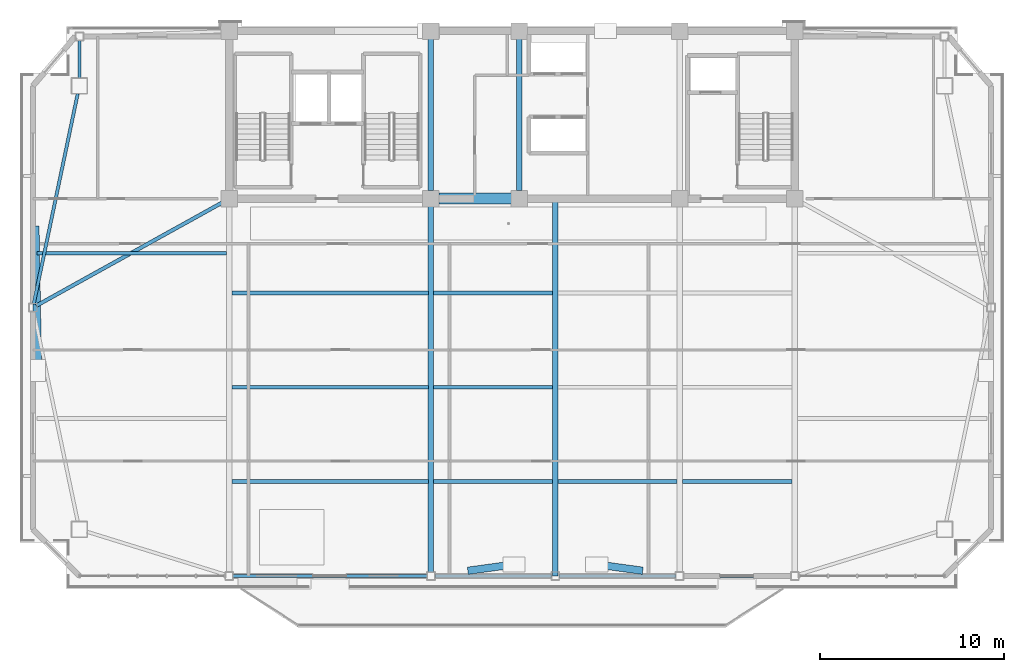
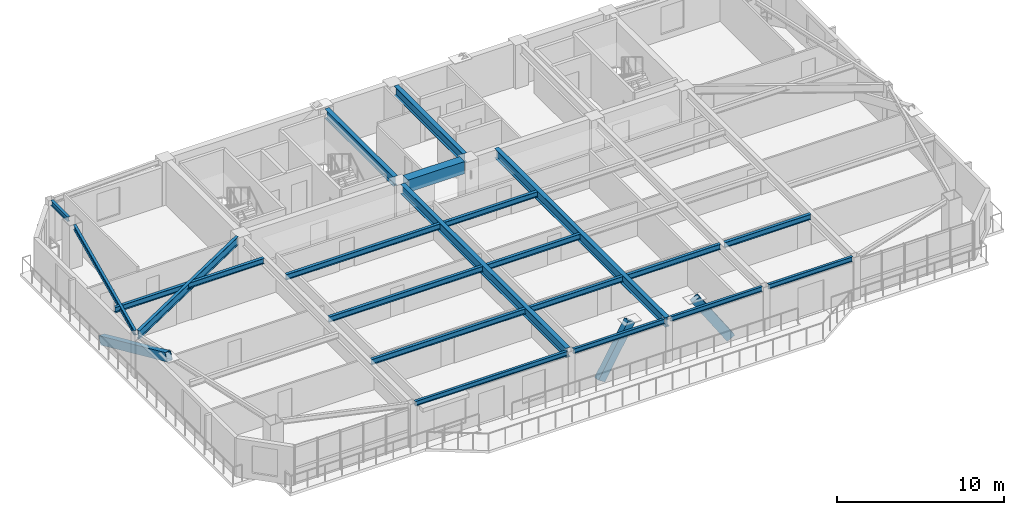
# One storey, part 3 of 16: 21 beams, 3 members.
"""IFC4 building model written with IfcOpenShell, lengths in metres."""

from ifc_helpers import new_model, si_unit, direction, frame, origin, origin_2d, place, context, subcontext, project, spatial, rectangle, hollow_rectangle, i_section, extrude, source, transform, mapped, material, material_profile, profile_set, type_object, element, save


model = new_model("IFC4")

# Units and contexts
model_context = context("Model", 3, precision=1e-05, world=origin(), true_north=direction((0.0, 1.0)))
body_context = subcontext(model_context, "Body", "Model", "MODEL_VIEW")
ifc_project = project(units=[si_unit("LENGTHUNIT", "METRE"), si_unit("AREAUNIT", "SQUARE_METRE"), si_unit("VOLUMEUNIT", "CUBIC_METRE"), si_unit("PLANEANGLEUNIT", "RADIAN"), si_unit("MASSUNIT", "GRAM", prefix="KILO")], contexts=[model_context])

# Site, building, storey
site_placement = place(None, origin())
site = spatial("IfcSite", under=ifc_project, at=site_placement, CompositionType="ELEMENT")
building_placement = place(site_placement, origin())
building = spatial("IfcBuilding", under=site, at=building_placement, Name="Giltprow Tower", CompositionType="ELEMENT")
storey_placement = place(building_placement, frame((0.0, 0.0, 272.300048828125)))
storey = spatial("IfcBuildingStorey", under=building, at=storey_placement, Name="L70", CompositionType="ELEMENT", Elevation=272.300048828125)

# Beams
ifc_material_1 = material(Name="Structural steel Q355B", Category="steel")
ifc_material_profile_1 = material_profile(ifc_material_1, i_section(OverallWidth=0.199951171875, OverallDepth=0.39990234375, WebThickness=0.008056640625, FlangeThickness=0.012939453125, at=origin_2d()), Name="HN 400x200x8x13")
ifc_profile_set_1 = profile_set([ifc_material_profile_1], Name="Structural steel Q355B")
beam_type_1 = type_object("IfcBeamType", Name="BM-JOIST-HN400", PredefinedType="JOIST", material=ifc_profile_set_1)
shared_shape_1 = source(origin(), body_context, "Body", "SweptSolid", [
    extrude(i_section(OverallWidth=0.199951171875, OverallDepth=0.39990234375, WebThickness=0.008056640625, FlangeThickness=0.012939453125, at=origin_2d()), origin(), (0.0, 0.0, 1.0), 10.659912109375),
])
for number, where, z_axis, x_axis, name in (
    (1, (19.9951171875, 22.094970703125, 2.98486328125), (1.0, 0.0, 0.0), (0.0, 1.0, 0.0), "L70 Composite Floor Joist 1-1"),
    (2, (19.9951171875, 27.212890625, 2.98486328125), (1.0, 0.0, 0.0), (0.0, 1.0, 0.0), "L70 Composite Floor Joist 2-1"),
    (3, (19.9951171875, 32.33203125, 2.98486328125), (1.0, 0.0, 0.0), (0.0, 1.0, 0.0), "L70 Composite Floor Joist 3-1"),
):
    element("IfcBeam", number, at=place(storey_placement, frame(where, z_axis=z_axis, x_axis=x_axis)), inside=storey, type_object=beam_type_1, Name=name, PredefinedType="JOIST", context=body_context, shape_type="MappedRepresentation", body=[
        mapped(shared_shape_1, transform((0.0, 0.0, 0.0), x_axis=(1.0, 0.0, 0.0), y_axis=(0.0, 1.0, 0.0), z_axis=(0.0, 0.0, 1.0), scale=1.0)),
    ])
shared_shape_2 = source(origin(), body_context, "Body", "SweptSolid", [
    extrude(i_section(OverallWidth=0.199951171875, OverallDepth=0.39990234375, WebThickness=0.008056640625, FlangeThickness=0.012939453125, at=origin_2d()), origin(), (0.0, 0.0, 1.0), 6.4599609375),
])
for number, where, z_axis, x_axis, name in (
    (4, (30.945068359375, 22.094970703125, 2.98486328125), (1.0, 0.0, 0.0), (0.0, 1.0, 0.0), "L70 Composite Floor Joist 1-2"),
    (5, (37.695068359375, 22.094970703125, 2.98486328125), (1.0, 0.0, 0.0), (0.0, 1.0, 0.0), "L70 Composite Floor Joist 1-3"),
    (6, (30.945068359375, 27.212890625, 2.98486328125), (1.0, 0.0, 0.0), (0.0, 1.0, 0.0), "L70 Composite Floor Joist 2-2"),
    (7, (30.945068359375, 32.33203125, 2.98486328125), (1.0, 0.0, 0.0), (0.0, 1.0, 0.0), "L70 Composite Floor Joist 3-2"),
):
    element("IfcBeam", number, at=place(storey_placement, frame(where, z_axis=z_axis, x_axis=x_axis)), inside=storey, type_object=beam_type_1, Name=name, PredefinedType="JOIST", context=body_context, shape_type="MappedRepresentation", body=[
        mapped(shared_shape_2, transform((0.0, 0.0, 0.0), x_axis=(1.0, 0.0, 0.0), y_axis=(0.0, 1.0, 0.0), z_axis=(0.0, 0.0, 1.0), scale=1.0)),
    ])
shared_shape_3 = source(origin(), body_context, "Body", "SweptSolid", [
    extrude(i_section(OverallWidth=0.199951171875, OverallDepth=0.39990234375, WebThickness=0.008056640625, FlangeThickness=0.012939453125, at=origin_2d()), origin(), (0.0, 0.0, 1.0), 5.9599609375),
])
beam_1_placement = place(storey_placement, frame((44.445068359375, 22.094970703125, 2.98486328125), z_axis=(1.0, 0.0, 0.0), x_axis=(0.0, 1.0, 0.0)))
element("IfcBeam", 8, at=beam_1_placement, inside=storey, type_object=beam_type_1, Name="L70 Composite Floor Joist 1-4", PredefinedType="JOIST", context=body_context, shape_type="MappedRepresentation", body=[
    mapped(shared_shape_3, transform((0.0, 0.0, 0.0), x_axis=(1.0, 0.0, 0.0), y_axis=(0.0, 1.0, 0.0), z_axis=(0.0, 0.0, 1.0), scale=1.0)),
])
ifc_material_2 = material(Name="Concrete C50", Category="concrete")
ifc_material_profile_2 = material_profile(ifc_material_2, rectangle(XDim=0.60009765625, YDim=0.89990234375, at=origin_2d()), Name="RC 900x600")
ifc_profile_set_2 = profile_set([ifc_material_profile_2], Name="Concrete C50")
beam_type_2 = type_object("IfcBeamType", Name="BM-CPL-RC900", PredefinedType="LINTEL", material=ifc_profile_set_2)
shared_shape_4 = source(origin(), body_context, "Body", "SweptSolid", [
    extrude(rectangle(XDim=0.60009765625, YDim=0.89990234375, at=origin_2d()), origin(), (0.0, 0.0, 1.0), 3.929931640625),
])
beam_2_placement = place(storey_placement, frame((31.235107421875, 37.449951171875, 2.73486328125), z_axis=(1.0, 0.0, 0.0), x_axis=(0.0, 1.0, 0.0)))
element("IfcBeam", 9, at=beam_2_placement, inside=storey, type_object=beam_type_2, Name="L70 Core Coupling Beam CB-1", PredefinedType="LINTEL", context=body_context, shape_type="MappedRepresentation", body=[
    mapped(shared_shape_4, transform((0.0, 0.0, 0.0), x_axis=(1.0, 0.0, 0.0), y_axis=(0.0, 1.0, 0.0), z_axis=(0.0, 0.0, 1.0), scale=1.0)),
])
ifc_material_profile_3 = material_profile(ifc_material_1, i_section(OverallWidth=0.300048828125, OverallDepth=0.699951171875, WebThickness=0.012939453125, FlangeThickness=0.02392578125, at=origin_2d()), Name="HN 700x300x13x24")
ifc_profile_set_3 = profile_set([ifc_material_profile_3], Name="Structural steel Q355B")
beam_type_3 = type_object("IfcBeamType", Name="BM-GIRD-HN700", PredefinedType="BEAM", material=ifc_profile_set_3)
shared_shape_5 = source(origin(), body_context, "Body", "SweptSolid", [
    extrude(i_section(OverallWidth=0.300048828125, OverallDepth=0.699951171875, WebThickness=0.012939453125, FlangeThickness=0.02392578125, at=origin_2d()), origin(), (0.0, 0.0, 1.0), 8.22998046875),
])
for number, where, z_axis, x_axis, name in (
    (10, (30.800048828125, 37.885009765625, 2.8349609375), (0.0, 1.0, 0.0), (-1.0, 0.0, 0.0), "L70 Core Tie Girder M1"),
    (11, (35.60009765625, 37.885009765625, 2.8349609375), (0.0, 1.0, 0.0), (-1.0, 0.0, 0.0), "L70 Core Tie Girder M2"),
):
    element("IfcBeam", number, at=place(storey_placement, frame(where, z_axis=z_axis, x_axis=x_axis)), inside=storey, type_object=beam_type_3, Name=name, PredefinedType="BEAM", context=body_context, shape_type="MappedRepresentation", body=[
        mapped(shared_shape_5, transform((0.0, 0.0, 0.0), x_axis=(1.0, 0.0, 0.0), y_axis=(0.0, 1.0, 0.0), z_axis=(0.0, 0.0, 1.0), scale=1.0)),
    ])
shared_shape_6 = source(origin(), body_context, "Body", "SweptSolid", [
    extrude(i_section(OverallWidth=0.300048828125, OverallDepth=0.699951171875, WebThickness=0.012939453125, FlangeThickness=0.02392578125, at=origin_2d()), origin(), (0.0, 0.0, 1.0), 20.473876953125),
])
beam_3_placement = place(storey_placement, frame((37.550048828125, 16.97607421875, 2.8349609375), z_axis=(0.0, 1.0, 0.0), x_axis=(-1.0, 0.0, 0.0)))
element("IfcBeam", 12, at=beam_3_placement, inside=storey, type_object=beam_type_3, Name="L70 Central Lease Girder SMID", PredefinedType="BEAM", context=body_context, shape_type="MappedRepresentation", body=[
    mapped(shared_shape_6, transform((0.0, 0.0, 0.0), x_axis=(1.0, 0.0, 0.0), y_axis=(0.0, 1.0, 0.0), z_axis=(0.0, 0.0, 1.0), scale=1.0)),
])
shared_shape_7 = source(origin(), body_context, "Body", "SweptSolid", [
    extrude(i_section(OverallWidth=0.199951171875, OverallDepth=0.39990234375, WebThickness=0.008056640625, FlangeThickness=0.012939453125, at=origin_2d()), origin(), (0.0, 0.0, 1.0), 10.291015625),
])
beam_4_placement = place(storey_placement, frame((9.4140625, 34.493896484375, 2.98486328125), z_axis=(1.0, 0.0, 0.0), x_axis=(0.0, 1.0, 0.0)))
element("IfcBeam", 13, at=beam_4_placement, inside=storey, type_object=beam_type_1, Name="L70 West Wing Floor Joist 2", PredefinedType="JOIST", context=body_context, shape_type="MappedRepresentation", body=[
    mapped(shared_shape_7, transform((0.0, 0.0, 0.0), x_axis=(1.0, 0.0, 0.0), y_axis=(0.0, 1.0, 0.0), z_axis=(0.0, 0.0, 1.0), scale=1.0)),
])
ifc_material_profile_4 = material_profile(ifc_material_1, i_section(OverallWidth=0.175048828125, OverallDepth=0.35009765625, WebThickness=0.007080078125, FlangeThickness=0.010986328125, at=origin_2d()), Name="HN 350x175x7x11")
ifc_profile_set_4 = profile_set([ifc_material_profile_4], Name="Structural steel Q355B")
beam_type_4 = type_object("IfcBeamType", Name="BM-SPAN-HN350", PredefinedType="SPANDREL", material=ifc_profile_set_4)
shared_shape_8 = source(origin(), body_context, "Body", "SweptSolid", [
    extrude(i_section(OverallWidth=0.175048828125, OverallDepth=0.35009765625, WebThickness=0.007080078125, FlangeThickness=0.010986328125, at=origin_2d()), origin(), (0.0, 0.0, 1.0), 10.530029296875),
])
beam_5_placement = place(storey_placement, frame((20.06005859375, 16.97607421875, 3.010009765625), z_axis=(1.0, 0.0, 0.0), x_axis=(0.0, 1.0, 0.0)))
element("IfcBeam", 14, at=beam_5_placement, inside=storey, type_object=beam_type_4, Name="L70 Perimeter Spandrel Beam S1-S2", PredefinedType="SPANDREL", context=body_context, shape_type="MappedRepresentation", body=[
    mapped(shared_shape_8, transform((0.0, 0.0, 0.0), x_axis=(1.0, 0.0, 0.0), y_axis=(0.0, 1.0, 0.0), z_axis=(0.0, 0.0, 1.0), scale=1.0)),
])
shared_shape_9 = source(origin(), body_context, "Body", "SweptSolid", [
    extrude(i_section(OverallWidth=0.175048828125, OverallDepth=0.35009765625, WebThickness=0.007080078125, FlangeThickness=0.010986328125, at=origin_2d()), origin(), (0.0, 0.0, 1.0), 6.330078125),
])
for number, where, z_axis, x_axis, name in (
    (15, (31.010009765625, 16.97607421875, 3.010009765625), (1.0, 0.0, 0.0), (0.0, 1.0, 0.0), "L70 Perimeter Spandrel Beam S2-S_MID"),
    (16, (37.760009765625, 16.97607421875, 3.010009765625), (1.0, 0.0, 0.0), (0.0, 1.0, 0.0), "L70 Perimeter Spandrel Beam S_MID-S3"),
):
    element("IfcBeam", number, at=place(storey_placement, frame(where, z_axis=z_axis, x_axis=x_axis)), inside=storey, type_object=beam_type_4, Name=name, PredefinedType="SPANDREL", context=body_context, shape_type="MappedRepresentation", body=[
        mapped(shared_shape_9, transform((0.0, 0.0, 0.0), x_axis=(1.0, 0.0, 0.0), y_axis=(0.0, 1.0, 0.0), z_axis=(0.0, 0.0, 1.0), scale=1.0)),
    ])
shared_shape_10 = source(origin(), body_context, "Body", "SweptSolid", [
    extrude(i_section(OverallWidth=0.175048828125, OverallDepth=0.35009765625, WebThickness=0.007080078125, FlangeThickness=0.010986328125, at=origin_2d()), origin(), (0.0, 0.0, 1.0), 5.830078125),
])
beam_6_placement = place(storey_placement, frame((44.510009765625, 16.97607421875, 3.010009765625), z_axis=(1.0, 0.0, 0.0), x_axis=(0.0, 1.0, 0.0)))
element("IfcBeam", 17, at=beam_6_placement, inside=storey, type_object=beam_type_4, Name="L70 Perimeter Spandrel Beam S3-S4", PredefinedType="SPANDREL", context=body_context, shape_type="MappedRepresentation", body=[
    mapped(shared_shape_10, transform((0.0, 0.0, 0.0), x_axis=(1.0, 0.0, 0.0), y_axis=(0.0, 1.0, 0.0), z_axis=(0.0, 0.0, 1.0), scale=1.0)),
])
shared_shape_11 = source(origin(), body_context, "Body", "SweptSolid", [
    extrude(i_section(OverallWidth=0.175048828125, OverallDepth=0.35009765625, WebThickness=0.007080078125, FlangeThickness=0.010986328125, at=origin_2d()), origin(), (0.0, 0.0, 1.0), 11.65478515625),
])
beam_7_placement = place(storey_placement, frame((11.6279296875, 43.15087890625, 3.010009765625), z_axis=(-0.205139436655, -0.978732757973, 0.0), x_axis=(0.978732757973, -0.205139436655, 0.0)))
element("IfcBeam", 18, at=beam_7_placement, inside=storey, type_object=beam_type_4, Name="L70 Perimeter Spandrel Beam MC_NW-W_MID", PredefinedType="SPANDREL", context=body_context, shape_type="MappedRepresentation", body=[
    mapped(shared_shape_11, transform((0.0, 0.0, 0.0), x_axis=(1.0, 0.0, 0.0), y_axis=(0.0, 1.0, 0.0), z_axis=(0.0, 0.0, 1.0), scale=1.0)),
])
shared_shape_12 = source(origin(), body_context, "Body", "SweptSolid", [
    extrude(i_section(OverallWidth=0.175048828125, OverallDepth=0.35009765625, WebThickness=0.007080078125, FlangeThickness=0.010986328125, at=origin_2d()), origin(), (0.0, 0.0, 1.0), 2.028076171875),
])
beam_8_placement = place(storey_placement, frame((11.717041015625, 46.0400390625, 3.010009765625), z_axis=(0.0, -1.0, 0.0), x_axis=(1.0, 0.0, 0.0)))
element("IfcBeam", 19, at=beam_8_placement, inside=storey, type_object=beam_type_4, Name="L70 Perimeter Spandrel Beam N_W-MC_NW", PredefinedType="SPANDREL", context=body_context, shape_type="MappedRepresentation", body=[
    mapped(shared_shape_12, transform((0.0, 0.0, 0.0), x_axis=(1.0, 0.0, 0.0), y_axis=(0.0, 1.0, 0.0), z_axis=(0.0, 0.0, 1.0), scale=1.0)),
])
shared_shape_13 = source(origin(), body_context, "Body", "SweptSolid", [
    extrude(i_section(OverallWidth=0.300048828125, OverallDepth=0.699951171875, WebThickness=0.012939453125, FlangeThickness=0.02392578125, at=origin_2d()), origin(), (0.0, 0.0, 1.0), 19.828857421875),
])
beam_9_placement = place(storey_placement, frame((30.800048828125, 17.18603515625, 2.8349609375), z_axis=(0.0, 1.0, 0.0), x_axis=(-1.0, 0.0, 0.0)))
element("IfcBeam", 20, at=beam_9_placement, inside=storey, type_object=beam_type_3, Name="L70 Primary Lease Girder S2", PredefinedType="BEAM", context=body_context, shape_type="MappedRepresentation", body=[
    mapped(shared_shape_13, transform((0.0, 0.0, 0.0), x_axis=(1.0, 0.0, 0.0), y_axis=(0.0, 1.0, 0.0), z_axis=(0.0, 0.0, 1.0), scale=1.0)),
])
ifc_material_profile_5 = material_profile(ifc_material_1, i_section(OverallWidth=0.199951171875, OverallDepth=0.60009765625, WebThickness=0.010986328125, FlangeThickness=0.01708984375, at=origin_2d()), Name="HN 600x200x11x17")
ifc_profile_set_5 = profile_set([ifc_material_profile_5], Name="Structural steel Q355B")
beam_type_5 = type_object("IfcBeamType", Name="BM-GIRD-HN600", PredefinedType="BEAM", material=ifc_profile_set_5)
shared_shape_14 = source(origin(), body_context, "Body", "SweptSolid", [
    extrude(i_section(OverallWidth=0.199951171875, OverallDepth=0.60009765625, WebThickness=0.010986328125, FlangeThickness=0.01708984375, at=origin_2d()), origin(), (0.0, 0.0, 1.0), 11.541259765625),
])
beam_10_placement = place(storey_placement, frame((9.3779296875, 31.639892578125, 2.885009765625), z_axis=(0.874435524769, 0.48514174529, 0.0), x_axis=(-0.48514174529, 0.874435524769, 0.0)))
element("IfcBeam", 21, at=beam_10_placement, inside=storey, type_object=beam_type_5, Name="L70 West Wing Primary Girder", PredefinedType="BEAM", context=body_context, shape_type="MappedRepresentation", body=[
    mapped(shared_shape_14, transform((0.0, 0.0, 0.0), x_axis=(1.0, 0.0, 0.0), y_axis=(0.0, 1.0, 0.0), z_axis=(0.0, 0.0, 1.0), scale=1.0)),
])

# Members
ifc_material_3 = material(Name="Structural steel Q420GJC", Category="steel")
ifc_material_profile_6 = material_profile(ifc_material_3, hollow_rectangle(XDim=0.39990234375, YDim=0.60009765625, WallThickness=0.028076171875, at=origin_2d()), Name="RHS 600x400x28")
ifc_profile_set_6 = profile_set([ifc_material_profile_6], Name="Structural steel Q420GJC")
member_type = type_object("IfcMemberType", Name="MBR-MEGA-RHS600", PredefinedType="BRACE", material=ifc_profile_set_6)
shared_shape_15 = source(origin(), body_context, "Body", "SweptSolid", [
    extrude(hollow_rectangle(XDim=0.39990234375, YDim=0.60009765625, WallThickness=0.028076171875, at=origin_2d()), origin(), (0.0, 0.0, 1.0), 4.088623046875),
])
for number, where, z_axis, x_axis, name in (
    (22, (33.050048828125, 17.287109375, 0.0), (0.550291346467, 0.075772538918, 0.831527483821), (-0.136408234601, 0.990652710859, 0.0), "L70 Chevron Mega-Brace S-L"),
    (23, (42.050048828125, 17.287109375, 0.0), (-0.550291346467, 0.075772538918, 0.831527483821), (-0.136408234601, -0.990652710859, 0.0), "L70 Chevron Mega-Brace S-R"),
):
    element("IfcMember", number, at=place(storey_placement, frame(where, z_axis=z_axis, x_axis=x_axis)), inside=storey, type_object=member_type, Name=name, PredefinedType="BRACE", context=body_context, shape_type="MappedRepresentation", body=[
        mapped(shared_shape_15, transform((0.0, 0.0, 0.0), x_axis=(1.0, 0.0, 0.0), y_axis=(0.0, 1.0, 0.0), z_axis=(0.0, 0.0, 1.0), scale=1.0)),
    ])
shared_shape_16 = source(origin(), body_context, "Body", "SweptSolid", [
    extrude(hollow_rectangle(XDim=0.39990234375, YDim=0.60009765625, WallThickness=0.028076171875, at=origin_2d()), origin(), (0.0, 0.0, 1.0), 8.44580078125),
])
member_placement = place(storey_placement, frame((9.33203125, 35.845947265625, 0.0), z_axis=(0.016447975748, -0.915247465983, 0.402556257068), x_axis=(0.999838559435, 0.017968168161, 0.0)))
element("IfcMember", 24, at=member_placement, inside=storey, type_object=member_type, Name="L70 Chevron Mega-Brace W-D", PredefinedType="BRACE", context=body_context, shape_type="MappedRepresentation", body=[
    mapped(shared_shape_16, transform((0.0, 0.0, 0.0), x_axis=(1.0, 0.0, 0.0), y_axis=(0.0, 1.0, 0.0), z_axis=(0.0, 0.0, 1.0), scale=1.0)),
])

save(model, "model.ifc")
